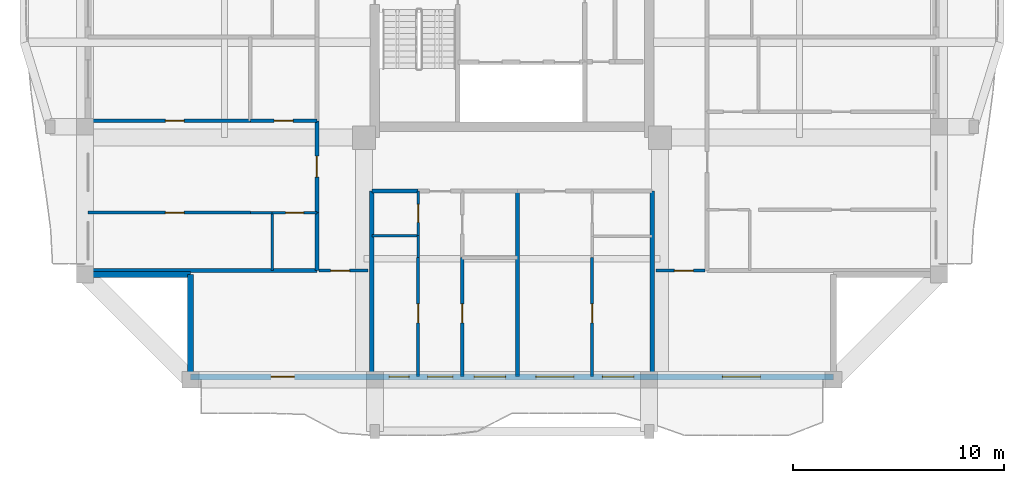
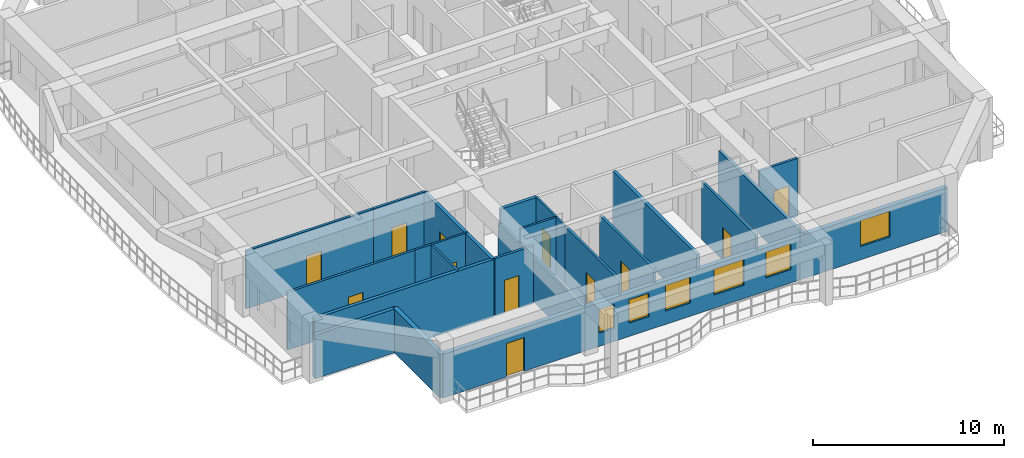
# One storey, part 2 of 14: 24 walls, 12 doors, 6 windows, 18 openings.
"""IFC4 building model written with IfcOpenShell, lengths in metres."""

from ifc_helpers import new_model, si_unit, direction, frame, frame_2d, origin, place, context, subcontext, project, spatial, rectangle, extrude, source, transform, mapped, material, layer, layer_set, type_object, element, fill, save


model = new_model("IFC4")

# Units and contexts
model_context = context("Model", 3, precision=1e-05, world=origin(), true_north=direction((0.0, 1.0)))
body_context = subcontext(model_context, "Body", "Model", "MODEL_VIEW")
ifc_project = project(units=[si_unit("LENGTHUNIT", "METRE"), si_unit("AREAUNIT", "SQUARE_METRE"), si_unit("VOLUMEUNIT", "CUBIC_METRE"), si_unit("PLANEANGLEUNIT", "RADIAN"), si_unit("MASSUNIT", "GRAM", prefix="KILO")], contexts=[model_context])

# Site, building, storey
site_placement = place(None, origin())
site = spatial("IfcSite", under=ifc_project, at=site_placement, CompositionType="ELEMENT")
building_placement = place(site_placement, origin())
building = spatial("IfcBuilding", under=site, at=building_placement, Name="Saelheon Loggia Tower", CompositionType="ELEMENT")
storey_placement = place(building_placement, frame((0.0, 0.0, 182.800048828125)))
storey = spatial("IfcBuildingStorey", under=building, at=storey_placement, Name="L57", CompositionType="ELEMENT", Elevation=182.800048828125)

# Wall, openings, windows, door
ifc_material_1 = material(Name="Architectural Precast Concrete C40/50", Category="concrete")
ifc_layer_1 = layer(ifc_material_1, 0.280029296875)
ifc_layer_set_1 = layer_set([ifc_layer_1], Name="Architectural Precast Concrete C40/50")
wall_type_1 = type_object("IfcWallType", Name="Wall_Ext_Loggia_280", PredefinedType="SOLIDWALL", material=ifc_layer_set_1)
wall_1_placement = place(storey_placement, frame((22.75, 6.139892578125, 0.0), z_axis=(0.0, 0.0, 1.0), x_axis=(1.0, 0.0, 0.0)))
wall_1 = element("IfcWall", 1, at=wall_1_placement, inside=storey, type_object=wall_type_1, Name="L57 South Loggia Inner Wall", PredefinedType="SOLIDWALL", context=body_context, shape_type="SweptSolid", body=[
    extrude(rectangle(XDim=30.5, YDim=0.280029296875, at=frame_2d((15.25, 0.0))), origin(), (0.0, 0.0, 1.0), 2.7900390625),
])
opening_1_placement = place(wall_1_placement, frame((4.925048828125, 0.0, 0.0), z_axis=(0.0, 0.0, 1.0), x_axis=(-1.0, 0.0, 0.0)))
opening_1 = element("IfcOpeningElement", 2, at=opening_1_placement, cuts=wall_1, Name="Opening TD1", PredefinedType="OPENING", context=body_context, shape_type="SweptSolid", body=[
    extrude(rectangle(XDim=1.10009765625, YDim=2.14990234375, at=frame_2d((0.550048828125, 1.074951171875))), frame((0.0, 0.152099609375, 0.0), z_axis=(0.0, -1.0, 0.0), x_axis=(1.0, 0.0, 0.0)), (0.0, 0.0, 1.0), 0.303955078125),
])
opening_2_placement = place(wall_1_placement, frame((9.419921875, 0.0, 0.85009765625)))
opening_2 = element("IfcOpeningElement", 3, at=opening_2_placement, cuts=wall_1, Name="Opening WN-04", PredefinedType="OPENING", context=body_context, shape_type="SweptSolid", body=[
    extrude(rectangle(XDim=0.949951171875, YDim=1.5, at=frame_2d((0.47509765625, 0.75))), frame((0.0, 0.152099609375, 0.0), z_axis=(0.0, -1.0, 0.0), x_axis=(1.0, 0.0, 0.0)), (0.0, 0.0, 1.0), 0.303955078125),
])
opening_3_placement = place(wall_1_placement, frame((11.243896484375, 0.0, 0.85009765625)))
opening_3 = element("IfcOpeningElement", 4, at=opening_3_placement, cuts=wall_1, Name="Opening WN-03", PredefinedType="OPENING", context=body_context, shape_type="SweptSolid", body=[
    extrude(rectangle(XDim=1.199951171875, YDim=1.5, at=frame_2d((0.60009765625, 0.75))), frame((0.0, 0.152099609375, 0.0), z_axis=(0.0, -1.0, 0.0), x_axis=(1.0, 0.0, 0.0)), (0.0, 0.0, 1.0), 0.303955078125),
])
opening_4_placement = place(wall_1_placement, frame((13.451904296875, 0.0, 0.85009765625)))
opening_4 = element("IfcOpeningElement", 5, at=opening_4_placement, cuts=wall_1, Name="Opening WN-02", PredefinedType="OPENING", context=body_context, shape_type="SweptSolid", body=[
    extrude(rectangle(XDim=1.5, YDim=1.64990234375, at=frame_2d((0.75, 0.824951171875))), frame((0.0, 0.152099609375, 0.0), z_axis=(0.0, -1.0, 0.0), x_axis=(1.0, 0.0, 0.0)), (0.0, 0.0, 1.0), 0.303955078125),
])
opening_5_placement = place(wall_1_placement, frame((16.383056640625, 0.0, 0.85009765625)))
opening_5 = element("IfcOpeningElement", 6, at=opening_5_placement, cuts=wall_1, Name="Opening WN-01", PredefinedType="OPENING", context=body_context, shape_type="SweptSolid", body=[
    extrude(rectangle(XDim=1.800048828125, YDim=1.64990234375, at=frame_2d((0.89990234375, 0.824951171875))), frame((0.0, 0.152099609375, 0.0), z_axis=(0.0, -1.0, 0.0), x_axis=(1.0, 0.0, 0.0)), (0.0, 0.0, 1.0), 0.303955078125),
])
opening_6_placement = place(wall_1_placement, frame((19.530029296875, 0.0, 0.85009765625)))
opening_6 = element("IfcOpeningElement", 7, at=opening_6_placement, cuts=wall_1, Name="Opening WN-02", PredefinedType="OPENING", context=body_context, shape_type="SweptSolid", body=[
    extrude(rectangle(XDim=1.5, YDim=1.64990234375, at=frame_2d((0.75, 0.824951171875))), frame((0.0, 0.152099609375, 0.0), z_axis=(0.0, -1.0, 0.0), x_axis=(1.0, 0.0, 0.0)), (0.0, 0.0, 1.0), 0.303955078125),
])
opening_7_placement = place(wall_1_placement, frame((25.22509765625, 0.0, 0.85009765625)))
opening_7 = element("IfcOpeningElement", 8, at=opening_7_placement, cuts=wall_1, Name="Opening WN-01", PredefinedType="OPENING", context=body_context, shape_type="SweptSolid", body=[
    extrude(rectangle(XDim=1.800048828125, YDim=1.64990234375, at=frame_2d((0.89990234375, 0.824951171875))), frame((0.0, 0.152099609375, 0.0), z_axis=(0.0, -1.0, 0.0), x_axis=(1.0, 0.0, 0.0)), (0.0, 0.0, 1.0), 0.303955078125),
])
ifc_material_2 = material(Name="Thermal-Break Aluminium and Triple Low-E Glass", Category="aluminium")
window_type_1 = type_object("IfcWindowType", Name="Win_Dwelling_1800x1650", PartitioningType="SINGLE_PANEL", PredefinedType="WINDOW", material=ifc_material_2)
shared_shape_1 = source(origin(), body_context, "Body", "SweptSolid", [
    extrude(rectangle(XDim=1.800048828125, YDim=1.64990234375, at=frame_2d((0.89990234375, 0.824951171875))), frame((0.0, 0.030029296875, 0.0), z_axis=(0.0, -1.0, 0.0), x_axis=(1.0, 0.0, 0.0)), (0.0, 0.0, 1.0), 0.06005859375),
])
window_1_placement = place(opening_5_placement, origin())
window_1 = element("IfcWindow", 9, at=window_1_placement, inside=storey, type_object=window_type_1, Name="L57 S Dwelling Window 5", OverallHeight=1.64990234375, OverallWidth=1.800048828125, PartitioningType="SINGLE_PANEL", PredefinedType="WINDOW", context=body_context, shape_type="MappedRepresentation", body=[
    mapped(shared_shape_1, transform((0.0, 0.0, 0.0), scale=1.0)),
])
fill(opening_5, window_1)
window_2_placement = place(opening_7_placement, origin())
window_2 = element("IfcWindow", 10, at=window_2_placement, inside=storey, type_object=window_type_1, Name="L57 S Dwelling Window 7", OverallHeight=1.64990234375, OverallWidth=1.800048828125, PartitioningType="SINGLE_PANEL", PredefinedType="WINDOW", context=body_context, shape_type="MappedRepresentation", body=[
    mapped(shared_shape_1, transform((0.0, 0.0, 0.0), scale=1.0)),
])
fill(opening_7, window_2)
window_type_2 = type_object("IfcWindowType", Name="Win_Bedroom_1200x1500", PartitioningType="SINGLE_PANEL", PredefinedType="WINDOW", material=ifc_material_2)
shared_shape_2 = source(origin(), body_context, "Body", "SweptSolid", [
    extrude(rectangle(XDim=1.199951171875, YDim=1.5, at=frame_2d((0.60009765625, 0.75))), frame((0.0, 0.030029296875, 0.0), z_axis=(0.0, -1.0, 0.0), x_axis=(1.0, 0.0, 0.0)), (0.0, 0.0, 1.0), 0.06005859375),
])
window_3_placement = place(opening_3_placement, origin())
window_3 = element("IfcWindow", 11, at=window_3_placement, inside=storey, type_object=window_type_2, Name="L57 S Dwelling Window 3", OverallHeight=1.5, OverallWidth=1.199951171875, PartitioningType="SINGLE_PANEL", PredefinedType="WINDOW", context=body_context, shape_type="MappedRepresentation", body=[
    mapped(shared_shape_2, transform((0.0, 0.0, 0.0), scale=1.0)),
])
fill(opening_3, window_3)
ifc_material_3 = material(Name="Thermal-Break Aluminium Glazed Door", Category="aluminium")
door_type_1 = type_object("IfcDoorType", Name="Door_Terrace_TD1", OperationType="NOTDEFINED", PredefinedType="DOOR", material=ifc_material_3)
shared_shape_3 = source(origin(), body_context, "Body", "SweptSolid", [
    extrude(rectangle(XDim=1.10009765625, YDim=2.14990234375, at=frame_2d((0.550048828125, 1.074951171875))), frame((0.0, 0.02490234375, 0.0), z_axis=(0.0, -1.0, 0.0), x_axis=(1.0, 0.0, 0.0)), (0.0, 0.0, 1.0), 0.050048828125),
])
door_1_placement = place(opening_1_placement, origin())
door_1 = element("IfcDoor", 12, at=door_1_placement, inside=storey, type_object=door_type_1, Name="L57 S Loggia Access Door", OperationType="SINGLE_SWING_LEFT", OverallHeight=2.14990234375, OverallWidth=1.10009765625, PredefinedType="DOOR", context=body_context, shape_type="MappedRepresentation", body=[
    mapped(shared_shape_3, transform((0.0, 0.0, 0.0), scale=1.0)),
])
fill(opening_1, door_1)
window_type_3 = type_object("IfcWindowType", Name="Win_Narrow_950x1500", PartitioningType="SINGLE_PANEL", PredefinedType="WINDOW", material=ifc_material_2)
shared_shape_4 = source(origin(), body_context, "Body", "SweptSolid", [
    extrude(rectangle(XDim=0.949951171875, YDim=1.5, at=frame_2d((0.47509765625, 0.75))), frame((0.0, 0.030029296875, 0.0), z_axis=(0.0, -1.0, 0.0), x_axis=(1.0, 0.0, 0.0)), (0.0, 0.0, 1.0), 0.06005859375),
])
window_4_placement = place(opening_2_placement, origin())
window_4 = element("IfcWindow", 13, at=window_4_placement, inside=storey, type_object=window_type_3, Name="L57 S Dwelling Window 2", OverallHeight=1.5, OverallWidth=0.949951171875, PartitioningType="SINGLE_PANEL", PredefinedType="WINDOW", context=body_context, shape_type="MappedRepresentation", body=[
    mapped(shared_shape_4, transform((0.0, 0.0, 0.0), scale=1.0)),
])
fill(opening_2, window_4)
window_type_4 = type_object("IfcWindowType", Name="Win_Dwelling_1500x1650", PartitioningType="SINGLE_PANEL", PredefinedType="WINDOW", material=ifc_material_2)
shared_shape_5 = source(origin(), body_context, "Body", "SweptSolid", [
    extrude(rectangle(XDim=1.5, YDim=1.64990234375, at=frame_2d((0.75, 0.824951171875))), frame((0.0, 0.030029296875, 0.0), z_axis=(0.0, -1.0, 0.0), x_axis=(1.0, 0.0, 0.0)), (0.0, 0.0, 1.0), 0.06005859375),
])
window_5_placement = place(opening_4_placement, origin())
window_5 = element("IfcWindow", 14, at=window_5_placement, inside=storey, type_object=window_type_4, Name="L57 S Dwelling Window 4", OverallHeight=1.64990234375, OverallWidth=1.5, PartitioningType="SINGLE_PANEL", PredefinedType="WINDOW", context=body_context, shape_type="MappedRepresentation", body=[
    mapped(shared_shape_5, transform((0.0, 0.0, 0.0), scale=1.0)),
])
fill(opening_4, window_5)
window_6_placement = place(opening_6_placement, origin())
window_6 = element("IfcWindow", 15, at=window_6_placement, inside=storey, type_object=window_type_4, Name="L57 S Dwelling Window 6", OverallHeight=1.64990234375, OverallWidth=1.5, PartitioningType="SINGLE_PANEL", PredefinedType="WINDOW", context=body_context, shape_type="MappedRepresentation", body=[
    mapped(shared_shape_5, transform((0.0, 0.0, 0.0), scale=1.0)),
])
fill(opening_6, window_6)

# Walls
for number, where, z_axis, x_axis, name in (
    (16, (22.75, 6.080078125, 0.0), (0.0, 0.0, 1.0), (0.0, 1.0, 0.0), "L57 Corner Notch Precast Wall SW1"),
    (17, (17.830078125, 11.0, 0.0), (0.0, 0.0, 1.0), (1.0, 0.0, 0.0), "L57 Corner Notch Precast Wall SW2"),
):
    element("IfcWall", number, at=place(storey_placement, frame(where, z_axis=z_axis, x_axis=x_axis)), inside=storey, type_object=wall_type_1, Name=name, PredefinedType="SOLIDWALL", context=body_context, shape_type="SweptSolid", body=[
        extrude(rectangle(XDim=4.919921875, YDim=0.280029296875, at=frame_2d((2.4599609375, 0.0))), origin(), (0.0, 0.0, 1.0), 2.7900390625),
    ])

# Wall, opening, door
ifc_material_4 = material(Name="Lightweight Autoclaved Aerated Concrete Block and Acoustic Gypsum", Category="concrete")
ifc_layer_2 = layer(ifc_material_4, 0.14990234375)
ifc_layer_set_2 = layer_set([ifc_layer_2], Name="Lightweight Autoclaved Aerated Concrete Block and Acoustic Gypsum")
wall_type_2 = type_object("IfcWallType", Name="Wall_Part_150", PredefinedType="PARTITIONING", material=ifc_layer_set_2)
wall_2_placement = place(storey_placement, frame((28.85009765625, 11.179931640625, 0.0), z_axis=(0.0, 0.0, 1.0), x_axis=(1.0, 0.0, 0.0)))
wall_2 = element("IfcWall", 18, at=wall_2_placement, inside=storey, type_object=wall_type_2, Name="PW-L57-CSW-H", PredefinedType="PARTITIONING", context=body_context, shape_type="SweptSolid", body=[
    extrude(rectangle(XDim=2.329833984375, YDim=0.14990234375, at=frame_2d((1.1650390625, 0.0))), origin(), (0.0, 0.0, 1.0), 3.68994140625),
])
opening_8_placement = place(wall_2_placement, frame((0.550048828125, 0.0, 0.0)))
opening_8 = element("IfcOpeningElement", 19, at=opening_8_placement, cuts=wall_2, Name="Opening D-IN2", PredefinedType="OPENING", context=body_context, shape_type="SweptSolid", body=[
    extrude(rectangle(XDim=0.89990234375, YDim=2.10009765625, at=frame_2d((0.449951171875, 1.050048828125))), frame((0.0, 0.0869140625, 0.0), z_axis=(0.0, -1.0, 0.0), x_axis=(1.0, 0.0, 0.0)), (0.0, 0.0, 1.0), 0.173828125),
])
ifc_material_5 = material(Name="Engineered Oak Flush Door", Category="timber")
door_type_2 = type_object("IfcDoorType", Name="Door_Int_900", OperationType="NOTDEFINED", PredefinedType="DOOR", material=ifc_material_5)
shared_shape_6 = source(origin(), body_context, "Body", "SweptSolid", [
    extrude(rectangle(XDim=0.89990234375, YDim=2.10009765625, at=frame_2d((0.449951171875, 1.050048828125))), frame((0.0, 0.02490234375, 0.0), z_axis=(0.0, -1.0, 0.0), x_axis=(1.0, 0.0, 0.0)), (0.0, 0.0, 1.0), 0.050048828125),
])
door_2_placement = place(opening_8_placement, origin())
door_2 = element("IfcDoor", 20, at=door_2_placement, inside=storey, type_object=door_type_2, Name="L57 Corner Home Office SW Door", OperationType="SINGLE_SWING_LEFT", OverallHeight=2.10009765625, OverallWidth=0.89990234375, PredefinedType="DOOR", context=body_context, shape_type="MappedRepresentation", body=[
    mapped(shared_shape_6, transform((0.0, 0.0, 0.0), scale=1.0)),
])
fill(opening_8, door_2)

wall_3_placement = place(storey_placement, frame((44.820068359375, 11.179931640625, 0.0), z_axis=(0.0, 0.0, 1.0), x_axis=(1.0, 0.0, 0.0)))
wall_3 = element("IfcWall", 21, at=wall_3_placement, inside=storey, type_object=wall_type_2, Name="PW-L57-CSE-H", PredefinedType="PARTITIONING", context=body_context, shape_type="SweptSolid", body=[
    extrude(rectangle(XDim=2.329833984375, YDim=0.14990234375, at=frame_2d((1.1650390625, 0.0))), origin(), (0.0, 0.0, 1.0), 3.68994140625),
])
opening_9_placement = place(wall_3_placement, frame((0.8798828125, 0.0, 0.0)))
opening_9 = element("IfcOpeningElement", 22, at=opening_9_placement, cuts=wall_3, Name="Opening D-IN2", PredefinedType="OPENING", context=body_context, shape_type="SweptSolid", body=[
    extrude(rectangle(XDim=0.89990234375, YDim=2.10009765625, at=frame_2d((0.449951171875, 1.050048828125))), frame((0.0, 0.0869140625, 0.0), z_axis=(0.0, -1.0, 0.0), x_axis=(1.0, 0.0, 0.0)), (0.0, 0.0, 1.0), 0.173828125),
])
door_3_placement = place(opening_9_placement, origin())
door_3 = element("IfcDoor", 23, at=door_3_placement, inside=storey, type_object=door_type_2, Name="L57 Corner Reading Room SE Door", OperationType="SINGLE_SWING_LEFT", OverallHeight=2.10009765625, OverallWidth=0.89990234375, PredefinedType="DOOR", context=body_context, shape_type="MappedRepresentation", body=[
    mapped(shared_shape_6, transform((0.0, 0.0, 0.0), scale=1.0)),
])
fill(opening_9, door_3)

wall_4_placement = place(storey_placement, frame((33.550048828125, 11.7900390625, 0.0), z_axis=(0.0, 0.0, 1.0), x_axis=(0.0, -1.0, 0.0)))
wall_4 = element("IfcWall", 24, at=wall_4_placement, inside=storey, type_object=wall_type_2, Name="L57 S Partition U10", PredefinedType="PARTITIONING", context=body_context, shape_type="SweptSolid", body=[
    extrude(rectangle(XDim=5.64013671875, YDim=0.14990234375, at=frame_2d((2.820068359375, 0.0))), origin(), (0.0, 0.0, 1.0), 3.68994140625),
])
opening_10_placement = place(wall_4_placement, frame((2.1923828125, 0.0, 0.0)))
opening_10 = element("IfcOpeningElement", 25, at=opening_10_placement, cuts=wall_4, Name="Opening D-IN2", PredefinedType="OPENING", context=body_context, shape_type="SweptSolid", body=[
    extrude(rectangle(XDim=0.89990234375, YDim=2.10009765625, at=frame_2d((0.449951171875, 1.050048828125))), frame((0.0, 0.0869140625, 0.0), z_axis=(0.0, -1.0, 0.0), x_axis=(1.0, 0.0, 0.0)), (0.0, 0.0, 1.0), 0.173828125),
])
door_4_placement = place(opening_10_placement, origin())
door_4 = element("IfcDoor", 26, at=door_4_placement, inside=storey, type_object=door_type_2, Name="Unit U01 Kitchen Door", OperationType="SINGLE_SWING_LEFT", OverallHeight=2.10009765625, OverallWidth=0.89990234375, PredefinedType="DOOR", context=body_context, shape_type="MappedRepresentation", body=[
    mapped(shared_shape_6, transform((0.0, 0.0, 0.0), scale=1.0)),
])
fill(opening_10, door_4)

wall_5_placement = place(storey_placement, frame((35.637939453125, 11.7900390625, 0.0), z_axis=(0.0, 0.0, 1.0), x_axis=(0.0, -1.0, 0.0)))
wall_5 = element("IfcWall", 27, at=wall_5_placement, inside=storey, type_object=wall_type_2, Name="L57 S Partition U12", PredefinedType="PARTITIONING", context=body_context, shape_type="SweptSolid", body=[
    extrude(rectangle(XDim=5.64013671875, YDim=0.14990234375, at=frame_2d((2.820068359375, 0.0))), origin(), (0.0, 0.0, 1.0), 3.68994140625),
])
opening_11_placement = place(wall_5_placement, frame((2.1923828125, 0.0, 0.0)))
opening_11 = element("IfcOpeningElement", 28, at=opening_11_placement, cuts=wall_5, Name="Opening D-IN2", PredefinedType="OPENING", context=body_context, shape_type="SweptSolid", body=[
    extrude(rectangle(XDim=0.89990234375, YDim=2.10009765625, at=frame_2d((0.449951171875, 1.050048828125))), frame((0.0, 0.0869140625, 0.0), z_axis=(0.0, -1.0, 0.0), x_axis=(1.0, 0.0, 0.0)), (0.0, 0.0, 1.0), 0.173828125),
])
door_5_placement = place(opening_11_placement, origin())
door_5 = element("IfcDoor", 29, at=door_5_placement, inside=storey, type_object=door_type_2, Name="Unit U01 Bedroom 1 Door", OperationType="SINGLE_SWING_LEFT", OverallHeight=2.10009765625, OverallWidth=0.89990234375, PredefinedType="DOOR", context=body_context, shape_type="MappedRepresentation", body=[
    mapped(shared_shape_6, transform((0.0, 0.0, 0.0), scale=1.0)),
])
fill(opening_11, door_5)

wall_6_placement = place(storey_placement, frame((41.800048828125, 11.7900390625, 0.0), z_axis=(0.0, 0.0, 1.0), x_axis=(0.0, -1.0, 0.0)))
wall_6 = element("IfcWall", 30, at=wall_6_placement, inside=storey, type_object=wall_type_2, Name="L57 S Partition U19", PredefinedType="PARTITIONING", context=body_context, shape_type="SweptSolid", body=[
    extrude(rectangle(XDim=5.64013671875, YDim=0.14990234375, at=frame_2d((2.820068359375, 0.0))), origin(), (0.0, 0.0, 1.0), 3.68994140625),
])
opening_12_placement = place(wall_6_placement, frame((2.1923828125, 0.0, 0.0)))
opening_12 = element("IfcOpeningElement", 31, at=opening_12_placement, cuts=wall_6, Name="Opening D-IN2", PredefinedType="OPENING", context=body_context, shape_type="SweptSolid", body=[
    extrude(rectangle(XDim=0.89990234375, YDim=2.10009765625, at=frame_2d((0.449951171875, 1.050048828125))), frame((0.0, 0.0869140625, 0.0), z_axis=(0.0, -1.0, 0.0), x_axis=(1.0, 0.0, 0.0)), (0.0, 0.0, 1.0), 0.173828125),
])
door_6_placement = place(opening_12_placement, origin())
door_6 = element("IfcDoor", 32, at=door_6_placement, inside=storey, type_object=door_type_2, Name="Unit U02 Kitchen Door", OperationType="SINGLE_SWING_RIGHT", OverallHeight=2.10009765625, OverallWidth=0.89990234375, PredefinedType="DOOR", context=body_context, shape_type="MappedRepresentation", body=[
    mapped(shared_shape_6, transform((0.0, 0.0, 0.0), scale=1.0)),
])
fill(opening_12, door_6)

wall_7_placement = place(storey_placement, frame((25.590087890625, 13.929931640625, 0.0), z_axis=(0.0, 0.0, 1.0), x_axis=(-1.0, 0.0, 0.0)))
wall_7 = element("IfcWall", 33, at=wall_7_placement, inside=storey, type_object=wall_type_2, Name="L57 W Partition U10", PredefinedType="PARTITIONING", context=body_context, shape_type="SweptSolid", body=[
    extrude(rectangle(XDim=7.690185546875, YDim=0.14990234375, at=frame_2d((3.84521484375, 0.0))), origin(), (0.0, 0.0, 1.0), 3.68994140625),
])
opening_13_placement = place(wall_7_placement, frame((3.132080078125, 0.0, 0.0)))
opening_13 = element("IfcOpeningElement", 34, at=opening_13_placement, cuts=wall_7, Name="Opening D-IN2", PredefinedType="OPENING", context=body_context, shape_type="SweptSolid", body=[
    extrude(rectangle(XDim=0.89990234375, YDim=2.10009765625, at=frame_2d((0.449951171875, 1.050048828125))), frame((0.0, 0.0869140625, 0.0), z_axis=(0.0, -1.0, 0.0), x_axis=(1.0, 0.0, 0.0)), (0.0, 0.0, 1.0), 0.173828125),
])
door_7_placement = place(opening_13_placement, origin())
door_7 = element("IfcDoor", 35, at=door_7_placement, inside=storey, type_object=door_type_2, Name="Unit U05 Kitchen Door", OperationType="SINGLE_SWING_RIGHT", OverallHeight=2.10009765625, OverallWidth=0.89990234375, PredefinedType="DOOR", context=body_context, shape_type="MappedRepresentation", body=[
    mapped(shared_shape_6, transform((0.0, 0.0, 0.0), scale=1.0)),
])
fill(opening_13, door_7)

wall_8_placement = place(storey_placement, frame((28.75, 18.280029296875, 0.0), z_axis=(0.0, 0.0, 1.0), x_axis=(-1.0, 0.0, 0.0)))
wall_8 = element("IfcWall", 36, at=wall_8_placement, inside=storey, type_object=wall_type_2, Name="L57 W Partition U11", PredefinedType="PARTITIONING", context=body_context, shape_type="SweptSolid", body=[
    extrude(rectangle(XDim=3.159912109375, YDim=0.14990234375, at=frame_2d((1.580078125, 0.0))), origin(), (0.0, 0.0, 1.0), 3.68994140625),
])
opening_14_placement = place(wall_8_placement, frame((1.1298828125, 0.0, 0.0)))
opening_14 = element("IfcOpeningElement", 37, at=opening_14_placement, cuts=wall_8, Name="Opening D-IN2", PredefinedType="OPENING", context=body_context, shape_type="SweptSolid", body=[
    extrude(rectangle(XDim=0.89990234375, YDim=2.10009765625, at=frame_2d((0.449951171875, 1.050048828125))), frame((0.0, 0.0869140625, 0.0), z_axis=(0.0, -1.0, 0.0), x_axis=(1.0, 0.0, 0.0)), (0.0, 0.0, 1.0), 0.173828125),
])
door_8_placement = place(opening_14_placement, origin())
door_8 = element("IfcDoor", 38, at=door_8_placement, inside=storey, type_object=door_type_2, Name="Unit U05 Home Office Door", OperationType="SINGLE_SWING_LEFT", OverallHeight=2.10009765625, OverallWidth=0.89990234375, PredefinedType="DOOR", context=body_context, shape_type="MappedRepresentation", body=[
    mapped(shared_shape_6, transform((0.0, 0.0, 0.0), scale=1.0)),
])
fill(opening_14, door_8)

wall_9_placement = place(storey_placement, frame((25.590087890625, 18.280029296875, 0.0), z_axis=(0.0, 0.0, 1.0), x_axis=(-1.0, 0.0, 0.0)))
wall_9 = element("IfcWall", 39, at=wall_9_placement, inside=storey, type_object=wall_type_2, Name="L57 W Partition U12", PredefinedType="PARTITIONING", context=body_context, shape_type="SweptSolid", body=[
    extrude(rectangle(XDim=7.690185546875, YDim=0.14990234375, at=frame_2d((3.84521484375, 0.0))), origin(), (0.0, 0.0, 1.0), 3.68994140625),
])
opening_15_placement = place(wall_9_placement, frame((3.132080078125, 0.0, 0.0)))
opening_15 = element("IfcOpeningElement", 40, at=opening_15_placement, cuts=wall_9, Name="Opening D-IN2", PredefinedType="OPENING", context=body_context, shape_type="SweptSolid", body=[
    extrude(rectangle(XDim=0.89990234375, YDim=2.10009765625, at=frame_2d((0.449951171875, 1.050048828125))), frame((0.0, 0.0869140625, 0.0), z_axis=(0.0, -1.0, 0.0), x_axis=(1.0, 0.0, 0.0)), (0.0, 0.0, 1.0), 0.173828125),
])
door_9_placement = place(opening_15_placement, origin())
door_9 = element("IfcDoor", 41, at=door_9_placement, inside=storey, type_object=door_type_2, Name="Unit U05 Bedroom 1 Door", OperationType="SINGLE_SWING_RIGHT", OverallHeight=2.10009765625, OverallWidth=0.89990234375, PredefinedType="DOOR", context=body_context, shape_type="MappedRepresentation", body=[
    mapped(shared_shape_6, transform((0.0, 0.0, 0.0), scale=1.0)),
])
fill(opening_15, door_9)

# Walls
ifc_material_6 = material(Name="Double Acoustic Stud and Fireboard Partition", Category="gypsum")
ifc_layer_3 = layer(ifc_material_6, 0.199951171875)
ifc_layer_set_3 = layer_set([ifc_layer_3], Name="Double Acoustic Stud and Fireboard Partition")
wall_type_3 = type_object("IfcWallType", Name="Wall_Party_200", PredefinedType="PARTITIONING", material=ifc_layer_set_3)
for number, where, z_axis, x_axis, name in (
    (42, (31.35009765625, 14.949951171875, 0.0), (0.0, 0.0, 1.0), (0.0, -1.0, 0.0), "L57 S Partition U01"),
    (43, (44.64990234375, 14.949951171875, 0.0), (0.0, 0.0, 1.0), (0.0, -1.0, 0.0), "L57 S Partition U02"),
):
    element("IfcWall", number, at=place(storey_placement, frame(where, z_axis=z_axis, x_axis=x_axis)), inside=storey, type_object=wall_type_3, Name=name, PredefinedType="PARTITIONING", context=body_context, shape_type="SweptSolid", body=[
        extrude(rectangle(XDim=8.800048828125, YDim=0.199951171875, at=frame_2d((4.39990234375, 0.0))), origin(), (0.0, 0.0, 1.0), 2.7900390625),
    ])
wall_10_placement = place(storey_placement, frame((31.35009765625, 14.949951171875, 0.0), z_axis=(0.0, 0.0, 1.0), x_axis=(1.0, 0.0, 0.0)))
element("IfcWall", 44, at=wall_10_placement, inside=storey, type_object=wall_type_3, Name="L57 S Partition V03", PredefinedType="PARTITIONING", context=body_context, shape_type="SweptSolid", body=[
    extrude(rectangle(XDim=2.199951171875, YDim=0.199951171875, at=frame_2d((1.10009765625, 0.0))), origin(), (0.0, 0.0, 1.0), 3.68994140625),
])
wall_11_placement = place(storey_placement, frame((38.26611328125, 14.949951171875, 0.0), z_axis=(0.0, 0.0, 1.0), x_axis=(0.0, -1.0, 0.0)))
element("IfcWall", 45, at=wall_11_placement, inside=storey, type_object=wall_type_3, Name="L57 S Partition U13", PredefinedType="PARTITIONING", context=body_context, shape_type="SweptSolid", body=[
    extrude(rectangle(XDim=8.800048828125, YDim=0.199951171875, at=frame_2d((4.39990234375, 0.0))), origin(), (0.0, 0.0, 1.0), 3.68994140625),
])
wall_12_placement = place(storey_placement, frame((28.75, 11.179931640625, 0.0), z_axis=(0.0, 0.0, 1.0), x_axis=(-1.0, 0.0, 0.0)))
element("IfcWall", 46, at=wall_12_placement, inside=storey, type_object=wall_type_3, Name="L57 W Partition U01", PredefinedType="PARTITIONING", context=body_context, shape_type="SweptSolid", body=[
    extrude(rectangle(XDim=10.85009765625, YDim=0.199951171875, at=frame_2d((5.425048828125, 0.0))), origin(), (0.0, 0.0, 1.0), 3.68994140625),
])
wall_13_placement = place(storey_placement, frame((28.75, 11.179931640625, 0.0), z_axis=(0.0, 0.0, 1.0), x_axis=(0.0, 1.0, 0.0)))
element("IfcWall", 47, at=wall_13_placement, inside=storey, type_object=wall_type_3, Name="L57 W Partition V03", PredefinedType="PARTITIONING", context=body_context, shape_type="SweptSolid", body=[
    extrude(rectangle(XDim=2.75, YDim=0.199951171875, at=frame_2d((1.375, 0.0))), origin(), (0.0, 0.0, 1.0), 3.68994140625),
])

# Wall, opening, door
wall_14_placement = place(storey_placement, frame((28.75, 13.929931640625, 0.0), z_axis=(0.0, 0.0, 1.0), x_axis=(0.0, 1.0, 0.0)))
wall_14 = element("IfcWall", 48, at=wall_14_placement, inside=storey, type_object=wall_type_3, Name="L57 W Partition V04", PredefinedType="PARTITIONING", context=body_context, shape_type="SweptSolid", body=[
    extrude(rectangle(XDim=4.35009765625, YDim=0.199951171875, at=frame_2d((2.175048828125, 0.0))), origin(), (0.0, 0.0, 1.0), 3.68994140625),
])
opening_16_placement = place(wall_14_placement, frame((1.675048828125, 0.0, 0.0)))
opening_16 = element("IfcOpeningElement", 49, at=opening_16_placement, cuts=wall_14, Name="Opening D-FD1", PredefinedType="OPENING", context=body_context, shape_type="SweptSolid", body=[
    extrude(rectangle(XDim=1.0, YDim=2.14990234375, at=frame_2d((0.5, 1.074951171875))), frame((0.0, 0.112060546875, 0.0), z_axis=(0.0, -1.0, 0.0), x_axis=(1.0, 0.0, 0.0)), (0.0, 0.0, 1.0), 0.223876953125),
])
ifc_material_7 = material(Name="Fire-Rated Engineered Timber Entrance Door", Category="wood")
door_type_3 = type_object("IfcDoorType", Name="Door_Flat_FD30S", OperationType="NOTDEFINED", PredefinedType="DOOR", material=ifc_material_7)
shared_shape_7 = source(origin(), body_context, "Body", "SweptSolid", [
    extrude(rectangle(XDim=1.0, YDim=2.14990234375, at=frame_2d((0.5, 1.074951171875))), frame((0.0, 0.02490234375, 0.0), z_axis=(0.0, -1.0, 0.0), x_axis=(1.0, 0.0, 0.0)), (0.0, 0.0, 1.0), 0.050048828125),
])
door_10_placement = place(opening_16_placement, origin())
door_10 = element("IfcDoor", 50, at=door_10_placement, inside=storey, type_object=door_type_3, Name="Unit U05 Entrance Door", OperationType="SINGLE_SWING_RIGHT", OverallHeight=2.14990234375, OverallWidth=1.0, PredefinedType="DOOR", context=body_context, shape_type="MappedRepresentation", body=[
    mapped(shared_shape_7, transform((0.0, 0.0, 0.0), scale=1.0)),
])
fill(opening_16, door_10)

# Wall
ifc_material_8 = material(Name="Moisture-Resistant Cement Board Partition", Category="gypsum")
ifc_layer_4 = layer(ifc_material_8, 0.1201171875)
ifc_layer_set_4 = layer_set([ifc_layer_4], Name="Moisture-Resistant Cement Board Partition")
wall_type_4 = type_object("IfcWallType", Name="Wall_WetPart_120", PredefinedType="PARTITIONING", material=ifc_layer_set_4)
wall_15_placement = place(storey_placement, frame((31.35009765625, 12.830078125, 0.0), z_axis=(0.0, 0.0, 1.0), x_axis=(1.0, 0.0, 0.0)))
element("IfcWall", 51, at=wall_15_placement, inside=storey, type_object=wall_type_4, Name="L57 S Partition V06", PredefinedType="PARTITIONING", context=body_context, shape_type="SweptSolid", body=[
    extrude(rectangle(XDim=2.199951171875, YDim=0.1201171875, at=frame_2d((1.10009765625, 0.0))), origin(), (0.0, 0.0, 1.0), 3.68994140625),
])

# Wall, opening, door
wall_16_placement = place(storey_placement, frame((33.550048828125, 14.949951171875, 0.0), z_axis=(0.0, 0.0, 1.0), x_axis=(0.0, -1.0, 0.0)))
wall_16 = element("IfcWall", 52, at=wall_16_placement, inside=storey, type_object=wall_type_4, Name="L57 S Partition U08", PredefinedType="PARTITIONING", context=body_context, shape_type="SweptSolid", body=[
    extrude(rectangle(XDim=2.119873046875, YDim=0.1201171875, at=frame_2d((1.06005859375, 0.0))), origin(), (0.0, 0.0, 1.0), 3.68994140625),
])
opening_17_placement = place(wall_16_placement, frame((0.635009765625, 0.0, 0.0)))
opening_17 = element("IfcOpeningElement", 53, at=opening_17_placement, cuts=wall_16, Name="Opening D-BT1", PredefinedType="OPENING", context=body_context, shape_type="SweptSolid", body=[
    extrude(rectangle(XDim=0.85009765625, YDim=2.050048828125, at=frame_2d((0.425048828125, 1.02490234375))), frame((0.0, 0.072021484375, 0.0), z_axis=(0.0, -1.0, 0.0), x_axis=(1.0, 0.0, 0.0)), (0.0, 0.0, 1.0), 0.14404296875),
])
ifc_material_9 = material(Name="Moisture-Resistant Laminate Timber Door", Category="wood")
door_type_4 = type_object("IfcDoorType", Name="Door_Bath_850", OperationType="NOTDEFINED", PredefinedType="DOOR", material=ifc_material_9)
shared_shape_8 = source(origin(), body_context, "Body", "SweptSolid", [
    extrude(rectangle(XDim=0.85009765625, YDim=2.050048828125, at=frame_2d((0.425048828125, 1.02490234375))), frame((0.0, 0.02490234375, 0.0), z_axis=(0.0, -1.0, 0.0), x_axis=(1.0, 0.0, 0.0)), (0.0, 0.0, 1.0), 0.050048828125),
])
door_11_placement = place(opening_17_placement, origin())
door_11 = element("IfcDoor", 54, at=door_11_placement, inside=storey, type_object=door_type_4, Name="Unit U01 Bathroom Door", OperationType="SINGLE_SWING_RIGHT", OverallHeight=2.050048828125, OverallWidth=0.85009765625, PredefinedType="DOOR", context=body_context, shape_type="MappedRepresentation", body=[
    mapped(shared_shape_8, transform((0.0, 0.0, 0.0), scale=1.0)),
])
fill(opening_17, door_11)

# Walls
wall_17_placement = place(storey_placement, frame((33.550048828125, 12.830078125, 0.0), z_axis=(0.0, 0.0, 1.0), x_axis=(0.0, -1.0, 0.0)))
element("IfcWall", 55, at=wall_17_placement, inside=storey, type_object=wall_type_4, Name="L57 S Partition U09", PredefinedType="PARTITIONING", context=body_context, shape_type="SweptSolid", body=[
    extrude(rectangle(XDim=1.0400390625, YDim=0.1201171875, at=frame_2d((0.52001953125, 0.0))), origin(), (0.0, 0.0, 1.0), 3.68994140625),
])
wall_18_placement = place(storey_placement, frame((26.6298828125, 11.179931640625, 0.0), z_axis=(0.0, 0.0, 1.0), x_axis=(0.0, 1.0, 0.0)))
element("IfcWall", 56, at=wall_18_placement, inside=storey, type_object=wall_type_4, Name="L57 W Partition V06", PredefinedType="PARTITIONING", context=body_context, shape_type="SweptSolid", body=[
    extrude(rectangle(XDim=2.75, YDim=0.1201171875, at=frame_2d((1.375, 0.0))), origin(), (0.0, 0.0, 1.0), 3.68994140625),
])

# Wall, opening, door
wall_19_placement = place(storey_placement, frame((28.75, 13.929931640625, 0.0), z_axis=(0.0, 0.0, 1.0), x_axis=(-1.0, 0.0, 0.0)))
wall_19 = element("IfcWall", 57, at=wall_19_placement, inside=storey, type_object=wall_type_4, Name="L57 W Partition U08", PredefinedType="PARTITIONING", context=body_context, shape_type="SweptSolid", body=[
    extrude(rectangle(XDim=2.1201171875, YDim=0.1201171875, at=frame_2d((1.06005859375, 0.0))), origin(), (0.0, 0.0, 1.0), 3.68994140625),
])
opening_18_placement = place(wall_19_placement, frame((0.635009765625, 0.0, 0.0)))
opening_18 = element("IfcOpeningElement", 58, at=opening_18_placement, cuts=wall_19, Name="Opening D-BT1", PredefinedType="OPENING", context=body_context, shape_type="SweptSolid", body=[
    extrude(rectangle(XDim=0.85009765625, YDim=2.050048828125, at=frame_2d((0.425048828125, 1.02490234375))), frame((0.0, 0.072021484375, 0.0), z_axis=(0.0, -1.0, 0.0), x_axis=(1.0, 0.0, 0.0)), (0.0, 0.0, 1.0), 0.14404296875),
])
door_12_placement = place(opening_18_placement, origin())
door_12 = element("IfcDoor", 59, at=door_12_placement, inside=storey, type_object=door_type_4, Name="Unit U05 Bathroom Door", OperationType="SINGLE_SWING_LEFT", OverallHeight=2.050048828125, OverallWidth=0.85009765625, PredefinedType="DOOR", context=body_context, shape_type="MappedRepresentation", body=[
    mapped(shared_shape_8, transform((0.0, 0.0, 0.0), scale=1.0)),
])
fill(opening_18, door_12)

# Wall
wall_20_placement = place(storey_placement, frame((26.6298828125, 13.929931640625, 0.0), z_axis=(0.0, 0.0, 1.0), x_axis=(-1.0, 0.0, 0.0)))
element("IfcWall", 60, at=wall_20_placement, inside=storey, type_object=wall_type_4, Name="L57 W Partition U09", PredefinedType="PARTITIONING", context=body_context, shape_type="SweptSolid", body=[
    extrude(rectangle(XDim=1.039794921875, YDim=0.1201171875, at=frame_2d((0.52001953125, 0.0))), origin(), (0.0, 0.0, 1.0), 3.68994140625),
])

save(model, "model.ifc")
